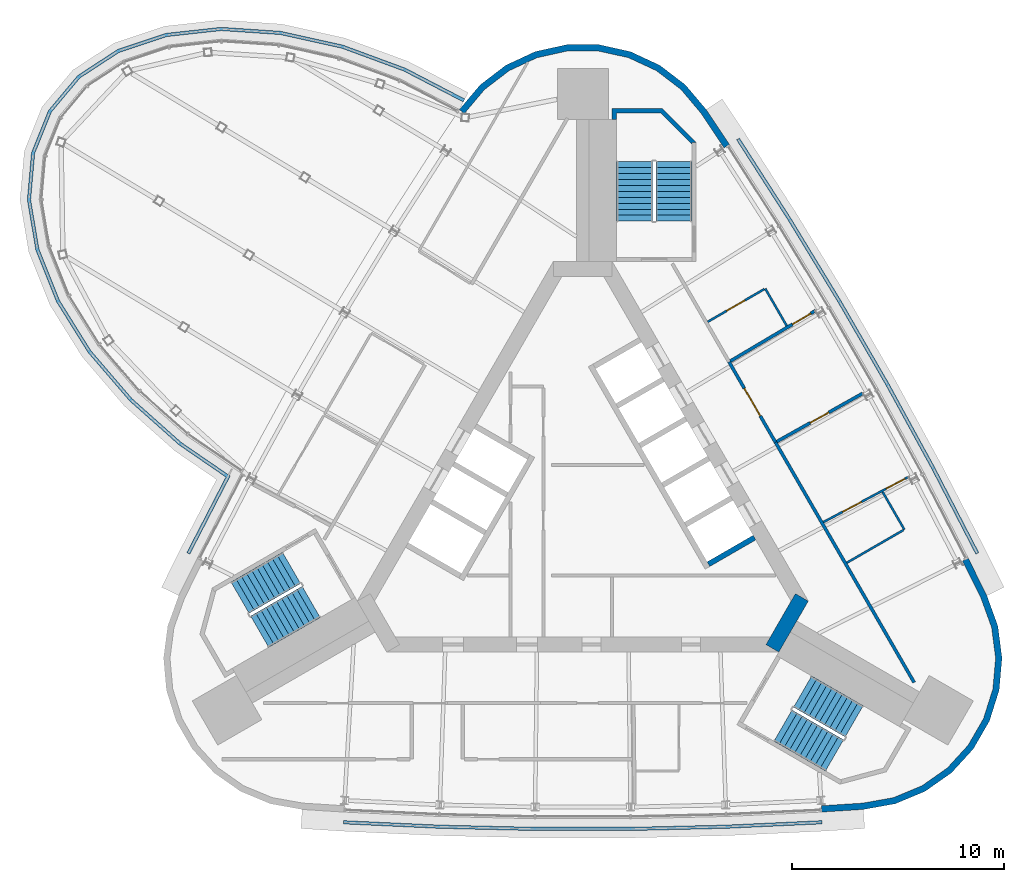
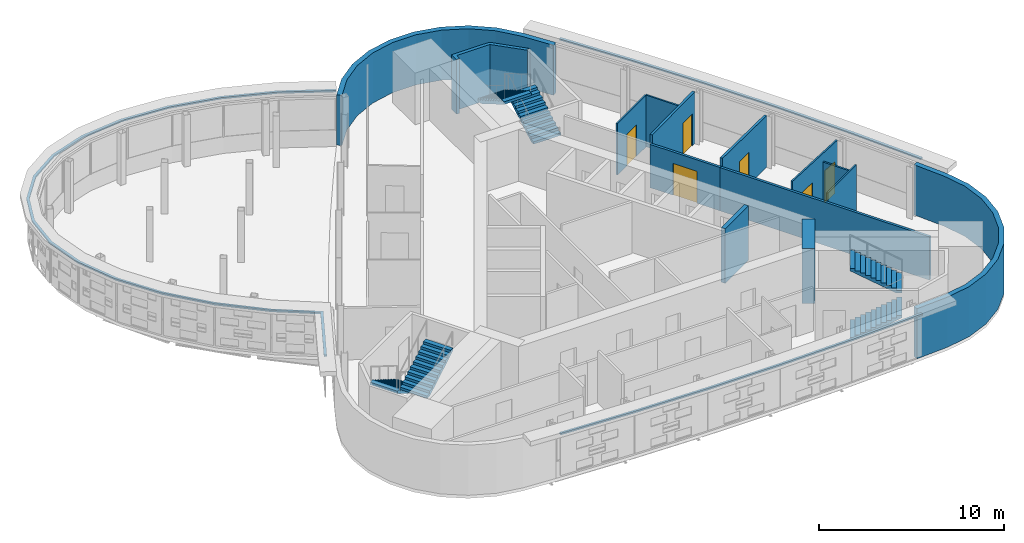
# One storey, part 11 of 13: 14 walls, 6 doors, 6 stair flights, 3 discrete accessories, 6 openings, 3 elements without a shape of their own.
"""IFC4 building model written with IfcOpenShell, lengths in metres."""

from ifc_helpers import new_model, si_unit, direction, frame, frame_2d, origin, place, context, subcontext, project, spatial, polyline, rectangle, outline, extrude, material, layer, layer_set, type_object, element, fill, aggregate, save


model = new_model("IFC4")

# Units and contexts
model_context = context("Model", 3, precision=1e-05, world=origin(), true_north=direction((0.0, 1.0)))
body_context = subcontext(model_context, "Body", "Model", "MODEL_VIEW")
ifc_project = project(units=[si_unit("LENGTHUNIT", "METRE"), si_unit("AREAUNIT", "SQUARE_METRE"), si_unit("VOLUMEUNIT", "CUBIC_METRE"), si_unit("PLANEANGLEUNIT", "RADIAN"), si_unit("MASSUNIT", "GRAM", prefix="KILO")], contexts=[model_context])

# Site, building, storey
site_placement = place(None, origin())
site = spatial("IfcSite", under=ifc_project, at=site_placement, CompositionType="ELEMENT")
building_placement = place(site_placement, origin())
building = spatial("IfcBuilding", under=site, at=building_placement, Name="Noor Cloister Tower", CompositionType="ELEMENT")
storey_placement = place(building_placement, frame((0.0, 0.0, 267.0)))
storey = spatial("IfcBuildingStorey", under=building, at=storey_placement, Name="L68", CompositionType="ELEMENT", Elevation=267.0)

# Walls
ifc_material_1 = material(Name="Concrete C60/75", Category="concrete")
ifc_layer_1 = layer(ifc_material_1, 0.699951171875)
ifc_layer_set_1 = layer_set([ifc_layer_1], Name="Core wall 700 C60/75")
wall_type_1 = type_object("IfcWallType", Name="Core wall 700 C60/75", PredefinedType="SHEAR", material=ifc_layer_set_1)
wall_1_placement = place(storey_placement, frame((8.925537109375, -6.753173828125, -0.199951171875), z_axis=(0.0, 0.0, 1.0), x_axis=(0.500042739161, 0.866000726912, 0.0)))
element("IfcWall", 1, at=wall_1_placement, inside=storey, type_object=wall_type_1, Name="Core wall L68 2", PredefinedType="SHEAR", context=body_context, shape_type="SweptSolid", body=[
    extrude(rectangle(XDim=2.771240234375, YDim=0.699951171875, at=frame_2d((1.3857421875, 0.0))), origin(), (0.0, 0.0, 1.0), 3.599853515625),
])
ifc_material_2 = material(Name="Gypsum board partition on steel studs, 150 mm", Category="steel")
ifc_layer_2 = layer(ifc_material_2, 0.14990234375)
ifc_layer_set_2 = layer_set([ifc_layer_2], Name="Flat wall 150")
wall_type_2 = type_object("IfcWallType", Name="Flat wall 150", PredefinedType="PARTITIONING", material=ifc_layer_set_2)
wall_2_placement = place(storey_placement, frame((15.59619140625, -8.356689453125, 0.0), z_axis=(0.0, 0.0, 1.0), x_axis=(-0.500010741103, 0.866019202317, 0.0)))
element("IfcWall", 2, at=wall_2_placement, inside=storey, type_object=wall_type_2, Name="Wall L68-W01", PredefinedType="PARTITIONING", context=body_context, shape_type="SweptSolid", body=[
    extrude(rectangle(XDim=13.048583984375, YDim=0.14990234375, at=frame_2d((6.5244140625, 0.0))), origin(), (0.0, 0.0, 1.0), 2.85205078125),
])

# Wall, opening, door
wall_3_placement = place(storey_placement, frame((13.208984375, 5.2685546875, 0.0), z_axis=(0.0, 0.0, 1.0), x_axis=(-0.871762529681, -0.489928659953, 0.0)))
wall_3 = element("IfcWall", 3, at=wall_3_placement, inside=storey, type_object=wall_type_2, Name="Wall L68-W03", PredefinedType="PARTITIONING", context=body_context, shape_type="SweptSolid", body=[
    extrude(rectangle(XDim=4.670654296875, YDim=0.14990234375, at=frame_2d((2.33544921875, 0.0))), origin(), (0.0, 0.0, 1.0), 3.39990234375),
])
opening_1_placement = place(wall_3_placement, frame((1.872802734375, 0.0, 0.0)))
opening_1 = element("IfcOpeningElement", 4, at=opening_1_placement, cuts=wall_3, Name="Opening L68-004", PredefinedType="OPENING", context=body_context, shape_type="SweptSolid", body=[
    extrude(rectangle(XDim=1.0, YDim=2.10009765625, at=frame_2d((0.5, 1.050048828125))), frame((0.0, 0.0849609375, 0.0), z_axis=(0.0, -1.0, 0.0), x_axis=(1.0, 0.0, 0.0)), (0.0, 0.0, 1.0), 0.169921875),
])
ifc_material_3 = material(Name="Timber door leaf with steel frame", Category="steel")
door_type_1 = type_object("IfcDoorType", Name="Flat entrance door 1000", OperationType="NOTDEFINED", PredefinedType="DOOR", material=ifc_material_3)
door_1_placement = place(opening_1_placement, origin())
door_1 = element("IfcDoor", 5, at=door_1_placement, inside=storey, type_object=door_type_1, Name="Door L68-004", OperationType="SINGLE_SWING_RIGHT", OverallHeight=2.10009765625, OverallWidth=1.0, PredefinedType="DOOR", context=body_context, shape_type="SweptSolid", body=[
    extrude(rectangle(XDim=1.0, YDim=2.10009765625, at=frame_2d((0.5, 1.050048828125))), frame((0.0, 0.02490234375, 0.0), z_axis=(0.0, -1.0, 0.0), x_axis=(1.0, 0.0, 0.0)), (0.0, 0.0, 1.0), 0.050048828125),
])
fill(opening_1, door_1)

wall_4_placement = place(storey_placement, frame((10.963134765625, 9.149169921875, 0.0), z_axis=(0.0, 0.0, 1.0), x_axis=(-0.860158922337, -0.510026105532, 0.0)))
wall_4 = element("IfcWall", 6, at=wall_4_placement, inside=storey, type_object=wall_type_2, Name="Wall L68-W04", PredefinedType="PARTITIONING", context=body_context, shape_type="SweptSolid", body=[
    extrude(rectangle(XDim=4.666259765625, YDim=0.14990234375, at=frame_2d((2.3330078125, 0.0))), origin(), (0.0, 0.0, 1.0), 3.39990234375),
])
opening_2_placement = place(wall_4_placement, frame((0.270263671875, 0.0, 0.0)))
opening_2 = element("IfcOpeningElement", 7, at=opening_2_placement, cuts=wall_4, Name="Opening L68-006", PredefinedType="OPENING", context=body_context, shape_type="SweptSolid", body=[
    extrude(rectangle(XDim=1.0, YDim=2.10009765625, at=frame_2d((0.5, 1.050048828125))), frame((0.0, 0.0849609375, 0.0), z_axis=(0.0, -1.0, 0.0), x_axis=(1.0, 0.0, 0.0)), (0.0, 0.0, 1.0), 0.169921875),
])
door_2_placement = place(opening_2_placement, origin())
door_2 = element("IfcDoor", 8, at=door_2_placement, inside=storey, type_object=door_type_1, Name="Door L68-006", OperationType="SINGLE_SWING_RIGHT", OverallHeight=2.10009765625, OverallWidth=1.0, PredefinedType="DOOR", context=body_context, shape_type="SweptSolid", body=[
    extrude(rectangle(XDim=1.0, YDim=2.10009765625, at=frame_2d((0.5, 1.050048828125))), frame((0.0, 0.02490234375, 0.0), z_axis=(0.0, -1.0, 0.0), x_axis=(1.0, 0.0, 0.0)), (0.0, 0.0, 1.0), 0.050048828125),
])
fill(opening_2, door_2)

wall_5_placement = place(storey_placement, frame((9.07177734375, 2.943603515625, 0.0), z_axis=(0.0, 0.0, 1.0), x_axis=(-0.499999494409, 0.866025695687, 0.0)))
wall_5 = element("IfcWall", 9, at=wall_5_placement, inside=storey, type_object=wall_type_2, Name="Wall L68-W05", PredefinedType="PARTITIONING", context=body_context, shape_type="SweptSolid", body=[
    extrude(rectangle(XDim=4.37353515625, YDim=0.14990234375, at=frame_2d((2.186767578125, 0.0))), origin(), (0.0, 0.0, 1.0), 2.85205078125),
])
opening_3_placement = place(wall_5_placement, frame((1.436767578125, 0.0, 0.0)))
opening_3 = element("IfcOpeningElement", 10, at=opening_3_placement, cuts=wall_5, Name="Opening L68-001", PredefinedType="OPENING", context=body_context, shape_type="SweptSolid", body=[
    extrude(rectangle(XDim=1.5, YDim=2.10009765625, at=frame_2d((0.75, 1.050048828125))), frame((0.0, 0.0849609375, 0.0), z_axis=(0.0, -1.0, 0.0), x_axis=(1.0, 0.0, 0.0)), (0.0, 0.0, 1.0), 0.169921875),
])
ifc_material_4 = material(Name="Timber door leaf with steel frame", Category="steel")
door_type_2 = type_object("IfcDoorType", Name="Double door 1500 FD60", OperationType="NOTDEFINED", PredefinedType="DOOR", material=ifc_material_4)
door_3_placement = place(opening_3_placement, origin())
door_3 = element("IfcDoor", 11, at=door_3_placement, inside=storey, type_object=door_type_2, Name="Door L68-001", OperationType="DOUBLE_DOOR_SINGLE_SWING", OverallHeight=2.10009765625, OverallWidth=1.5, PredefinedType="DOOR", context=body_context, shape_type="SweptSolid", body=[
    extrude(rectangle(XDim=1.5, YDim=2.10009765625, at=frame_2d((0.75, 1.050048828125))), frame((0.0, 0.02490234375, 0.0), z_axis=(0.0, -1.0, 0.0), x_axis=(1.0, 0.0, 0.0)), (0.0, 0.0, 1.0), 0.050048828125),
])
fill(opening_3, door_3)

# Walls
ifc_material_5 = material(Name="Limestone", Category="masonry")
ifc_layer_3 = layer(ifc_material_5, 0.300048828125)
ifc_layer_set_3 = layer_set([ifc_layer_3], Name="Limestone cladding 300")
wall_type_3 = type_object("IfcWallType", Name="Limestone cladding 300", PredefinedType="NOTDEFINED", material=ifc_layer_set_3)
wall_6_placement = place(storey_placement, origin())
element("IfcWall", 12, at=wall_6_placement, inside=storey, type_object=wall_type_3, Name="Limestone pier cladding L68 2.1", PredefinedType="NOTDEFINED", context=body_context, shape_type="SweptSolid", body=[
    extrude(outline(polyline([(11.24365234375, -14.46044921875), (13.21142578125, -14.336181640625), (14.707763671875, -14.068603515625), (16.11083984375, -13.484619140625), (17.35498046875, -12.611083984375), (18.381103515625, -11.489990234375), (19.14111328125, -10.173583984375), (19.59912109375, -8.724365234375), (19.7333984375, -7.210205078125), (19.53759765625, -5.702880859375), (19.021240234375, -4.2734375), (18.14501953125, -2.507080078125), (17.876220703125, -2.640380859375), (18.744873046875, -4.391357421875), (19.244384765625, -5.77392578125), (19.431640625, -7.21630859375), (19.30322265625, -8.6650390625), (18.864990234375, -10.052001953125), (18.1376953125, -11.3115234375), (17.15576171875, -12.384521484375), (15.96533203125, -13.22021484375), (14.62255859375, -13.779052734375), (13.175537109375, -14.037841796875), (11.224853515625, -14.1611328125), (11.24365234375, -14.46044921875)])), origin(), (0.0, 0.0, 1.0), 3.300048828125),
])
wall_7_placement = place(storey_placement, origin())
element("IfcWall", 13, at=wall_7_placement, inside=storey, type_object=wall_type_3, Name="Limestone pier cladding L68 3.1", PredefinedType="NOTDEFINED", context=body_context, shape_type="SweptSolid", body=[
    extrude(outline(polyline([(6.9013671875, 16.967529296875), (5.809814453125, 18.609619140625), (4.830078125, 19.771484375), (3.62255859375, 20.69482421875), (2.244140625, 21.33544921875), (0.760009765625, 21.66357421875), (-0.760009765625, 21.66357421875), (-2.244140625, 21.33544921875), (-3.62255859375, 20.69482421875), (-4.830078125, 19.771484375), (-5.809814453125, 18.609619140625), (-5.580322265625, 18.416259765625), (-4.621826171875, 19.55322265625), (-3.46630859375, 20.4365234375), (-2.1474609375, 21.049560546875), (-0.727294921875, 21.363525390625), (0.727294921875, 21.363525390625), (2.1474609375, 21.049560546875), (3.46630859375, 20.4365234375), (4.621826171875, 19.55322265625), (5.5693359375, 18.42919921875), (6.6513671875, 16.801513671875), (6.9013671875, 16.967529296875)])), origin(), (0.0, 0.0, 1.0), 3.300048828125),
])

# Wall, openings, doors
ifc_material_6 = material(Name="Gypsum board partition on steel studs, 100 mm", Category="steel")
ifc_layer_4 = layer(ifc_material_6, 0.10009765625)
ifc_layer_set_4 = layer_set([ifc_layer_4], Name="Partition 100")
wall_type_4 = type_object("IfcWallType", Name="Partition 100", PredefinedType="PARTITIONING", material=ifc_layer_set_4)
wall_8_placement = place(storey_placement, frame((15.364013671875, 1.3369140625, 0.0), z_axis=(0.0, 0.0, 1.0), x_axis=(-0.882891694615, -0.469576676997, 0.0)))
wall_8 = element("IfcWall", 14, at=wall_8_placement, inside=storey, type_object=wall_type_4, Name="Wall L68-W06", PredefinedType="PARTITIONING", context=body_context, shape_type="SweptSolid", body=[
    extrude(rectangle(XDim=4.57373046875, YDim=0.10009765625, at=frame_2d((2.286865234375, 0.0))), origin(), (0.0, 0.0, 1.0), 3.39990234375),
])
opening_4_placement = place(wall_8_placement, frame((0.223388671875, 0.0, 0.0)))
opening_4 = element("IfcOpeningElement", 15, at=opening_4_placement, cuts=wall_8, Name="Opening L68-002", PredefinedType="OPENING", context=body_context, shape_type="SweptSolid", body=[
    extrude(rectangle(XDim=1.0, YDim=2.10009765625, at=frame_2d((0.5, 1.050048828125))), frame((0.0, 0.06005859375, 0.0), z_axis=(0.0, -1.0, 0.0), x_axis=(1.0, 0.0, 0.0)), (0.0, 0.0, 1.0), 0.1201171875),
])
opening_5_placement = place(wall_8_placement, frame((2.5478515625, 0.0, 0.0)))
opening_5 = element("IfcOpeningElement", 16, at=opening_5_placement, cuts=wall_8, Name="Opening L68-003", PredefinedType="OPENING", context=body_context, shape_type="SweptSolid", body=[
    extrude(rectangle(XDim=1.0, YDim=2.10009765625, at=frame_2d((0.5, 1.050048828125))), frame((0.0, 0.06005859375, 0.0), z_axis=(0.0, -1.0, 0.0), x_axis=(1.0, 0.0, 0.0)), (0.0, 0.0, 1.0), 0.1201171875),
])
ifc_material_7 = material(Name="Timber door leaf with steel frame", Category="steel")
door_type_3 = type_object("IfcDoorType", Name="Interior door 1000", OperationType="NOTDEFINED", PredefinedType="DOOR", material=ifc_material_7)
door_4_placement = place(opening_4_placement, origin())
door_4 = element("IfcDoor", 17, at=door_4_placement, inside=storey, type_object=door_type_3, Name="Door L68-002", OperationType="SINGLE_SWING_RIGHT", OverallHeight=2.10009765625, OverallWidth=1.0, PredefinedType="DOOR", context=body_context, shape_type="SweptSolid", body=[
    extrude(rectangle(XDim=1.0, YDim=2.10009765625, at=frame_2d((0.5, 1.050048828125))), frame((0.0, 0.02490234375, 0.0), z_axis=(0.0, -1.0, 0.0), x_axis=(1.0, 0.0, 0.0)), (0.0, 0.0, 1.0), 0.050048828125),
])
fill(opening_4, door_4)
door_5_placement = place(opening_5_placement, origin())
door_5 = element("IfcDoor", 18, at=door_5_placement, inside=storey, type_object=door_type_3, Name="Door L68-003", OperationType="SINGLE_SWING_LEFT", OverallHeight=2.10009765625, OverallWidth=1.0, PredefinedType="DOOR", context=body_context, shape_type="SweptSolid", body=[
    extrude(rectangle(XDim=1.0, YDim=2.10009765625, at=frame_2d((0.5, 1.050048828125))), frame((0.0, 0.02490234375, 0.0), z_axis=(0.0, -1.0, 0.0), x_axis=(1.0, 0.0, 0.0)), (0.0, 0.0, 1.0), 0.050048828125),
])
fill(opening_5, door_5)

# Walls
wall_9_placement = place(storey_placement, frame((14.11181640625, 0.614013671875, 0.0), z_axis=(0.0, 0.0, 1.0), x_axis=(0.500007699544, -0.866020958405, 0.0)))
element("IfcWall", 19, at=wall_9_placement, inside=storey, type_object=wall_type_4, Name="Wall L68-W07", PredefinedType="PARTITIONING", context=body_context, shape_type="SweptSolid", body=[
    extrude(rectangle(XDim=2.0498046875, YDim=0.10009765625, at=frame_2d((1.02490234375, 0.0))), origin(), (0.0, 0.0, 1.0), 2.85205078125),
])
wall_10_placement = place(storey_placement, frame((15.093505859375, -1.186279296875, 0.0), z_axis=(0.0, 0.0, 1.0), x_axis=(-0.866050731258, -0.499956128963, 0.0)))
element("IfcWall", 20, at=wall_10_placement, inside=storey, type_object=wall_type_4, Name="Wall L68-W08", PredefinedType="PARTITIONING", context=body_context, shape_type="SweptSolid", body=[
    extrude(rectangle(XDim=3.074951171875, YDim=0.10009765625, at=frame_2d((1.53759765625, 0.0))), origin(), (0.0, 0.0, 1.0), 3.39990234375),
])
wall_11_placement = place(storey_placement, frame((9.600341796875, 8.42822265625, 0.0), z_axis=(0.0, 0.0, 1.0), x_axis=(-0.499990325971, 0.866030989016, 0.0)))
element("IfcWall", 21, at=wall_11_placement, inside=storey, type_object=wall_type_4, Name="Wall L68-W09", PredefinedType="PARTITIONING", context=body_context, shape_type="SweptSolid", body=[
    extrude(rectangle(XDim=2.02490234375, YDim=0.10009765625, at=frame_2d((1.012451171875, 0.0))), origin(), (0.0, 0.0, 1.0), 3.39990234375),
])

# Wall, opening, door
wall_12_placement = place(storey_placement, frame((8.54443359375, 10.156982421875, 0.0), z_axis=(0.0, 0.0, 1.0), x_axis=(-0.866016353143, -0.500015675843, 0.0)))
wall_12 = element("IfcWall", 22, at=wall_12_placement, inside=storey, type_object=wall_type_4, Name="Wall L68-W10", PredefinedType="PARTITIONING", context=body_context, shape_type="SweptSolid", body=[
    extrude(rectangle(XDim=3.0751953125, YDim=0.10009765625, at=frame_2d((1.53759765625, 0.0))), origin(), (0.0, 0.0, 1.0), 3.39990234375),
])
opening_6_placement = place(wall_12_placement, frame((1.050048828125, 0.0, 0.0)))
opening_6 = element("IfcOpeningElement", 23, at=opening_6_placement, cuts=wall_12, Name="Opening L68-005", PredefinedType="OPENING", context=body_context, shape_type="SweptSolid", body=[
    extrude(rectangle(XDim=1.0, YDim=2.10009765625, at=frame_2d((0.5, 1.050048828125))), frame((0.0, 0.06005859375, 0.0), z_axis=(0.0, -1.0, 0.0), x_axis=(1.0, 0.0, 0.0)), (0.0, 0.0, 1.0), 0.1201171875),
])
door_6_placement = place(opening_6_placement, origin())
door_6 = element("IfcDoor", 24, at=door_6_placement, inside=storey, type_object=door_type_3, Name="Door L68-005", OperationType="SINGLE_SWING_LEFT", OverallHeight=2.10009765625, OverallWidth=1.0, PredefinedType="DOOR", context=body_context, shape_type="SweptSolid", body=[
    extrude(rectangle(XDim=1.0, YDim=2.10009765625, at=frame_2d((0.5, 1.050048828125))), frame((0.0, 0.02490234375, 0.0), z_axis=(0.0, -1.0, 0.0), x_axis=(1.0, 0.0, 0.0)), (0.0, 0.0, 1.0), 0.050048828125),
])
fill(opening_6, door_6)

# Walls
ifc_material_8 = material(Name="Concrete C60/75", Category="concrete")
ifc_layer_5 = layer(ifc_material_8, 0.25)
ifc_layer_set_5 = layer_set([ifc_layer_5], Name="Shaft wall 250 C60/75")
wall_type_5 = type_object("IfcWallType", Name="Shaft wall 250 C60/75", PredefinedType="PARTITIONING", material=ifc_layer_set_5)
wall_13_placement = place(storey_placement, frame((8.081298828125, -1.540771484375, -0.199951171875), z_axis=(0.0, 0.0, 1.0), x_axis=(-0.866022959057, -0.500004234368, 0.0)))
element("IfcWall", 25, at=wall_13_placement, inside=storey, type_object=wall_type_5, Name="Lift shaft wall L68 NE 1", PredefinedType="PARTITIONING", context=body_context, shape_type="SweptSolid", body=[
    extrude(rectangle(XDim=2.5, YDim=0.25, at=frame_2d((1.25, 0.0))), origin(), (0.0, 0.0, 1.0), 3.599853515625),
])
ifc_material_9 = material(Name="Concrete C60/75", Category="concrete")
wall_type_6 = type_object("IfcWallType", Name="Stair far end wall C60/75", PredefinedType="SHEAR", material=ifc_material_9)
wall_14_placement = place(storey_placement, frame((0.0, 0.0, -0.199951171875)))
element("IfcWall", 26, at=wall_14_placement, inside=storey, type_object=wall_type_6, Name="Stair enclosure wall ST1 L68 far end", PredefinedType="SHEAR", context=body_context, shape_type="SweptSolid", body=[
    extrude(outline(polyline([(5.335693359375, 17.056396484375), (3.735595703125, 18.656494140625), (1.385498046875, 18.656494140625), (1.385498046875, 18.135009765625), (1.585693359375, 18.135009765625), (1.585693359375, 18.456298828125), (3.65283203125, 18.456298828125), (5.135498046875, 16.9736328125), (5.135498046875, 17.056396484375), (5.135498046875, 17.056396484375), (5.135498046875, 17.056396484375), (5.135498046875, 17.056396484375), (5.135498046875, 17.056396484375), (5.135498046875, 17.056396484375), (5.135498046875, 17.056396484375), (5.135498046875, 17.056396484375), (5.135498046875, 17.056396484375), (5.135498046875, 17.056396484375), (5.135498046875, 17.056396484375), (5.135498046875, 17.056396484375), (5.135498046875, 17.056396484375), (5.135498046875, 17.056396484375), (5.135498046875, 17.056396484375), (5.135498046875, 17.056396484375), (5.135498046875, 17.056396484375), (5.335693359375, 17.056396484375)])), origin(), (0.0, 0.0, 1.0), 3.599853515625),
])

# Stair, stair flights
ifc_material_10 = material(Name="Concrete C40/50", Category="concrete")
stair_type = type_object("IfcStairType", Name="Exit stair 22 risers", PredefinedType="HALF_TURN_STAIR", material=ifc_material_10)
stair_1_placement = place(storey_placement, origin())
stair_1 = element("IfcStair", 27, at=stair_1_placement, inside=storey, type_object=stair_type, Name="Exit stair ST1 L68", PredefinedType="HALF_TURN_STAIR")
ifc_material_11 = material(Name="Concrete C40/50", Category="concrete")
stair_flight_type = type_object("IfcStairFlightType", Name="Exit stair flight", PredefinedType="STRAIGHT", material=ifc_material_11)
stair_flight_1_placement = place(storey_placement, frame((4.28564453125, 13.3564453125, 0.0), z_axis=(0.0, 0.0, 1.0), x_axis=(0.0, 1.0, 0.0)))
stair_flight_1 = element("IfcStairFlight", 28, at=stair_flight_1_placement, type_object=stair_flight_type, Name="ST1 flight 1", NumberOfRisers=11, NumberOfTreads=10, PredefinedType="STRAIGHT", RiserHeight=0.163636364, TreadLength=0.28, context=body_context, shape_type="SweptSolid", body=[
    extrude(outline(polyline([(0.0, 0.0), (0.0, 0.16357421875), (0.280029296875, 0.16357421875), (0.280029296875, 0.327392578125), (0.56005859375, 0.327392578125), (0.56005859375, 0.490966796875), (0.840087890625, 0.490966796875), (0.840087890625, 0.654541015625), (1.1201171875, 0.654541015625), (1.1201171875, 0.818115234375), (1.39990234375, 0.818115234375), (1.39990234375, 0.98193359375), (1.679931640625, 0.98193359375), (1.679931640625, 1.1455078125), (1.9599609375, 1.1455078125), (1.9599609375, 1.30908203125), (2.239990234375, 1.30908203125), (2.239990234375, 1.47265625), (2.52001953125, 1.47265625), (2.52001953125, 1.636474609375), (2.800048828125, 1.636474609375), (2.800048828125, 1.800048828125), (2.800048828125, 1.462646484375), (0.297119140625, 0.0), (0.0, 0.0)])), frame((0.0, 0.85009765625, 0.0), z_axis=(0.0, -1.0, 0.0), x_axis=(1.0, 0.0, 0.0)), (0.0, 0.0, 1.0), 1.699951171875),
])
stair_flight_2_placement = place(storey_placement, frame((2.435546875, 16.156494140625, 1.800048828125), z_axis=(0.0, 0.0, 1.0), x_axis=(0.0, -1.0, 0.0)))
stair_flight_2 = element("IfcStairFlight", 29, at=stair_flight_2_placement, type_object=stair_flight_type, Name="ST1 flight 2", NumberOfRisers=11, NumberOfTreads=10, PredefinedType="STRAIGHT", RiserHeight=0.163636364, TreadLength=0.28, context=body_context, shape_type="SweptSolid", body=[
    extrude(outline(polyline([(0.0, 0.0), (0.0, 0.16357421875), (0.280029296875, 0.16357421875), (0.280029296875, 0.327392578125), (0.56005859375, 0.327392578125), (0.56005859375, 0.490966796875), (0.840087890625, 0.490966796875), (0.840087890625, 0.654541015625), (1.1201171875, 0.654541015625), (1.1201171875, 0.818115234375), (1.39990234375, 0.818115234375), (1.39990234375, 0.98193359375), (1.679931640625, 0.98193359375), (1.679931640625, 1.1455078125), (1.9599609375, 1.1455078125), (1.9599609375, 1.30908203125), (2.239990234375, 1.30908203125), (2.239990234375, 1.47265625), (2.52001953125, 1.47265625), (2.52001953125, 1.636474609375), (2.800048828125, 1.636474609375), (2.800048828125, 1.800048828125), (2.800048828125, 1.462646484375), (0.297119140625, 0.0), (0.0, 0.0)])), frame((0.0, 0.85009765625, 0.0), z_axis=(0.0, -1.0, 0.0), x_axis=(1.0, 0.0, 0.0)), (0.0, 0.0, 1.0), 1.699951171875),
])
aggregate(stair_1, [stair_flight_1, stair_flight_2])

stair_2_placement = place(storey_placement, origin())
stair_2 = element("IfcStair", 30, at=stair_2_placement, inside=storey, type_object=stair_type, Name="Exit stair ST2 L68", PredefinedType="HALF_TURN_STAIR")
stair_flight_3_placement = place(storey_placement, frame((-13.709716796875, -2.966796875, 0.0), z_axis=(0.0, 0.0, 1.0), x_axis=(-0.866025403784, -0.5, 0.0)))
stair_flight_3 = element("IfcStairFlight", 31, at=stair_flight_3_placement, type_object=stair_flight_type, Name="ST2 flight 1", NumberOfRisers=11, NumberOfTreads=10, PredefinedType="STRAIGHT", RiserHeight=0.163636364, TreadLength=0.28, context=body_context, shape_type="SweptSolid", body=[
    extrude(outline(polyline([(0.0, 0.0), (0.0, 0.16357421875), (0.280029296875, 0.16357421875), (0.280029296875, 0.327392578125), (0.56005859375, 0.327392578125), (0.56005859375, 0.490966796875), (0.840087890625, 0.490966796875), (0.840087890625, 0.654541015625), (1.1201171875, 0.654541015625), (1.1201171875, 0.818115234375), (1.39990234375, 0.818115234375), (1.39990234375, 0.98193359375), (1.679931640625, 0.98193359375), (1.679931640625, 1.1455078125), (1.9599609375, 1.1455078125), (1.9599609375, 1.30908203125), (2.239990234375, 1.30908203125), (2.239990234375, 1.47265625), (2.52001953125, 1.47265625), (2.52001953125, 1.636474609375), (2.800048828125, 1.636474609375), (2.800048828125, 1.800048828125), (2.800048828125, 1.462646484375), (0.297119140625, 0.0), (0.0, 0.0)])), frame((0.0, 0.85009765625, 0.0), z_axis=(0.0, -1.0, 0.0), x_axis=(1.0, 0.0, 0.0)), (0.0, 0.0, 1.0), 1.699951171875),
])
stair_flight_4_placement = place(storey_placement, frame((-15.209716796875, -5.968994140625, 1.800048828125), z_axis=(0.0, 0.0, 1.0), x_axis=(0.866025403784, 0.5, 0.0)))
stair_flight_4 = element("IfcStairFlight", 32, at=stair_flight_4_placement, type_object=stair_flight_type, Name="ST2 flight 2", NumberOfRisers=11, NumberOfTreads=10, PredefinedType="STRAIGHT", RiserHeight=0.163636364, TreadLength=0.28, context=body_context, shape_type="SweptSolid", body=[
    extrude(outline(polyline([(0.0, 0.0), (0.0, 0.16357421875), (0.280029296875, 0.16357421875), (0.280029296875, 0.327392578125), (0.56005859375, 0.327392578125), (0.56005859375, 0.490966796875), (0.840087890625, 0.490966796875), (0.840087890625, 0.654541015625), (1.1201171875, 0.654541015625), (1.1201171875, 0.818115234375), (1.39990234375, 0.818115234375), (1.39990234375, 0.98193359375), (1.679931640625, 0.98193359375), (1.679931640625, 1.1455078125), (1.9599609375, 1.1455078125), (1.9599609375, 1.30908203125), (2.239990234375, 1.30908203125), (2.239990234375, 1.47265625), (2.52001953125, 1.47265625), (2.52001953125, 1.636474609375), (2.800048828125, 1.636474609375), (2.800048828125, 1.800048828125), (2.800048828125, 1.462646484375), (0.297119140625, 0.0), (0.0, 0.0)])), frame((0.0, 0.85009765625, 0.0), z_axis=(0.0, -1.0, 0.0), x_axis=(1.0, 0.0, 0.0)), (0.0, 0.0, 1.0), 1.699951171875),
])
aggregate(stair_2, [stair_flight_3, stair_flight_4])

stair_3_placement = place(storey_placement, origin())
stair_3 = element("IfcStair", 33, at=stair_3_placement, inside=storey, type_object=stair_type, Name="Exit stair ST3 L68", PredefinedType="HALF_TURN_STAIR")
stair_flight_5_placement = place(storey_placement, frame((9.424072265625, -10.3896484375, 0.0), z_axis=(0.0, 0.0, 1.0), x_axis=(0.866025403784, -0.5, 0.0)))
stair_flight_5 = element("IfcStairFlight", 34, at=stair_flight_5_placement, type_object=stair_flight_type, Name="ST3 flight 1", NumberOfRisers=11, NumberOfTreads=10, PredefinedType="STRAIGHT", RiserHeight=0.163636364, TreadLength=0.28, context=body_context, shape_type="SweptSolid", body=[
    extrude(outline(polyline([(0.0, 0.0), (0.0, 0.16357421875), (0.280029296875, 0.16357421875), (0.280029296875, 0.327392578125), (0.56005859375, 0.327392578125), (0.56005859375, 0.490966796875), (0.840087890625, 0.490966796875), (0.840087890625, 0.654541015625), (1.1201171875, 0.654541015625), (1.1201171875, 0.818115234375), (1.39990234375, 0.818115234375), (1.39990234375, 0.98193359375), (1.679931640625, 0.98193359375), (1.679931640625, 1.1455078125), (1.9599609375, 1.1455078125), (1.9599609375, 1.30908203125), (2.239990234375, 1.30908203125), (2.239990234375, 1.47265625), (2.52001953125, 1.47265625), (2.52001953125, 1.636474609375), (2.800048828125, 1.636474609375), (2.800048828125, 1.800048828125), (2.800048828125, 1.462646484375), (0.297119140625, 0.0), (0.0, 0.0)])), frame((0.0, 0.85009765625, 0.0), z_axis=(0.0, -1.0, 0.0), x_axis=(1.0, 0.0, 0.0)), (0.0, 0.0, 1.0), 1.699951171875),
])
stair_flight_6_placement = place(storey_placement, frame((12.77392578125, -10.1875, 1.800048828125), z_axis=(0.0, 0.0, 1.0), x_axis=(-0.866025403784, 0.5, 0.0)))
stair_flight_6 = element("IfcStairFlight", 35, at=stair_flight_6_placement, type_object=stair_flight_type, Name="ST3 flight 2", NumberOfRisers=11, NumberOfTreads=10, PredefinedType="STRAIGHT", RiserHeight=0.163636364, TreadLength=0.28, context=body_context, shape_type="SweptSolid", body=[
    extrude(outline(polyline([(0.0, 0.0), (0.0, 0.16357421875), (0.280029296875, 0.16357421875), (0.280029296875, 0.327392578125), (0.56005859375, 0.327392578125), (0.56005859375, 0.490966796875), (0.840087890625, 0.490966796875), (0.840087890625, 0.654541015625), (1.1201171875, 0.654541015625), (1.1201171875, 0.818115234375), (1.39990234375, 0.818115234375), (1.39990234375, 0.98193359375), (1.679931640625, 0.98193359375), (1.679931640625, 1.1455078125), (1.9599609375, 1.1455078125), (1.9599609375, 1.30908203125), (2.239990234375, 1.30908203125), (2.239990234375, 1.47265625), (2.52001953125, 1.47265625), (2.52001953125, 1.636474609375), (2.800048828125, 1.636474609375), (2.800048828125, 1.800048828125), (2.800048828125, 1.462646484375), (0.297119140625, 0.0), (0.0, 0.0)])), frame((0.0, 0.85009765625, 0.0), z_axis=(0.0, -1.0, 0.0), x_axis=(1.0, 0.0, 0.0)), (0.0, 0.0, 1.0), 1.699951171875),
])
aggregate(stair_3, [stair_flight_5, stair_flight_6])

# Discrete accessories
ifc_material_12 = material(Name="Stainless steel grade 316", Category="steel")
discrete_accessory_type = type_object("IfcDiscreteAccessoryType", Name="Stainless hanger rail", PredefinedType="BRACKET", material=ifc_material_12)
discrete_accessory_1_placement = place(storey_placement, frame((0.0, 0.0, 3.199951171875)))
element("IfcDiscreteAccessory", 36, at=discrete_accessory_1_placement, inside=storey, type_object=discrete_accessory_type, Name="Hanger rail L68", PredefinedType="BRACKET", context=body_context, shape_type="SweptSolid", body=[
    extrude(outline(polyline([(-5.5517578125, 19.106689453125), (-8.3583984375, 20.56396484375), (-11.293212890625, 21.64599609375), (-14.21826171875, 22.295166015625), (-17.02783203125, 22.484130859375), (-19.620849609375, 22.198486328125), (-21.9013671875, 21.4375), (-23.775634765625, 20.215087890625), (-25.151123046875, 18.5712890625), (-25.95361328125, 16.583984375), (-26.1494140625, 14.35498046875), (-25.7470703125, 11.984619140625), (-24.778076171875, 9.5625), (-23.288818359375, 7.1728515625), (-21.338623046875, 4.89794921875), (-19.00244140625, 2.818359375), (-16.802734375, 1.30810546875), (-18.642333984375, -2.25), (-18.500244140625, -2.323486328125), (-16.595703125, 1.360107421875), (-18.903564453125, 2.944580078125), (-21.224365234375, 5.01025390625), (-23.159423828125, 7.267578125), (-24.634765625, 9.63525390625), (-25.59228515625, 12.0283203125), (-25.98828125, 14.361328125), (-25.79638671875, 16.546142578125), (-25.01220703125, 18.488037109375), (-23.668212890625, 20.093994140625), (-21.831298828125, 21.292236328125), (-19.58642578125, 22.041259765625), (-17.0244140625, 22.323486328125), (-14.240966796875, 22.136474609375), (-11.33837890625, 21.4921875), (-8.42333984375, 20.417236328125), (-5.62548828125, 18.964599609375), (-5.5517578125, 19.106689453125)])), origin(), (0.0, 0.0, 1.0), 0.10009765625),
])
discrete_accessory_2_placement = place(storey_placement, frame((0.0, 0.0, 3.199951171875)))
element("IfcDiscreteAccessory", 37, at=discrete_accessory_2_placement, inside=storey, type_object=discrete_accessory_type, Name="Hanger rail L68", PredefinedType="BRACKET", context=body_context, shape_type="SweptSolid", body=[
    extrude(outline(polyline([(-11.269775390625, -15.019775390625), (-6.76806640625, -15.228759765625), (-2.25634765625, -15.33349609375), (2.25634765625, -15.33349609375), (6.76806640625, -15.228759765625), (11.269775390625, -15.019775390625), (11.26220703125, -14.860107421875), (6.762451171875, -15.06884765625), (2.254638671875, -15.173583984375), (-2.254638671875, -15.173583984375), (-6.762451171875, -15.06884765625), (-11.26220703125, -14.860107421875), (-11.269775390625, -15.019775390625)])), origin(), (0.0, 0.0, 1.0), 0.10009765625),
])
discrete_accessory_3_placement = place(storey_placement, frame((0.0, 0.0, 3.199951171875)))
element("IfcDiscreteAccessory", 38, at=discrete_accessory_3_placement, inside=storey, type_object=discrete_accessory_type, Name="Hanger rail L68", PredefinedType="BRACKET", context=body_context, shape_type="SweptSolid", body=[
    extrude(outline(polyline([(18.642333984375, -2.25), (16.572509765625, 1.7529296875), (14.407470703125, 5.712646484375), (12.15087890625, 9.620849609375), (9.804443359375, 13.475830078125), (7.372802734375, 17.269775390625), (7.238037109375, 17.183349609375), (9.668701171875, 13.39111328125), (12.013427734375, 9.539306640625), (14.267822265625, 5.63427734375), (16.431396484375, 1.677978515625), (18.500244140625, -2.323486328125), (18.642333984375, -2.25)])), origin(), (0.0, 0.0, 1.0), 0.10009765625),
])

save(model, "model.ifc")
